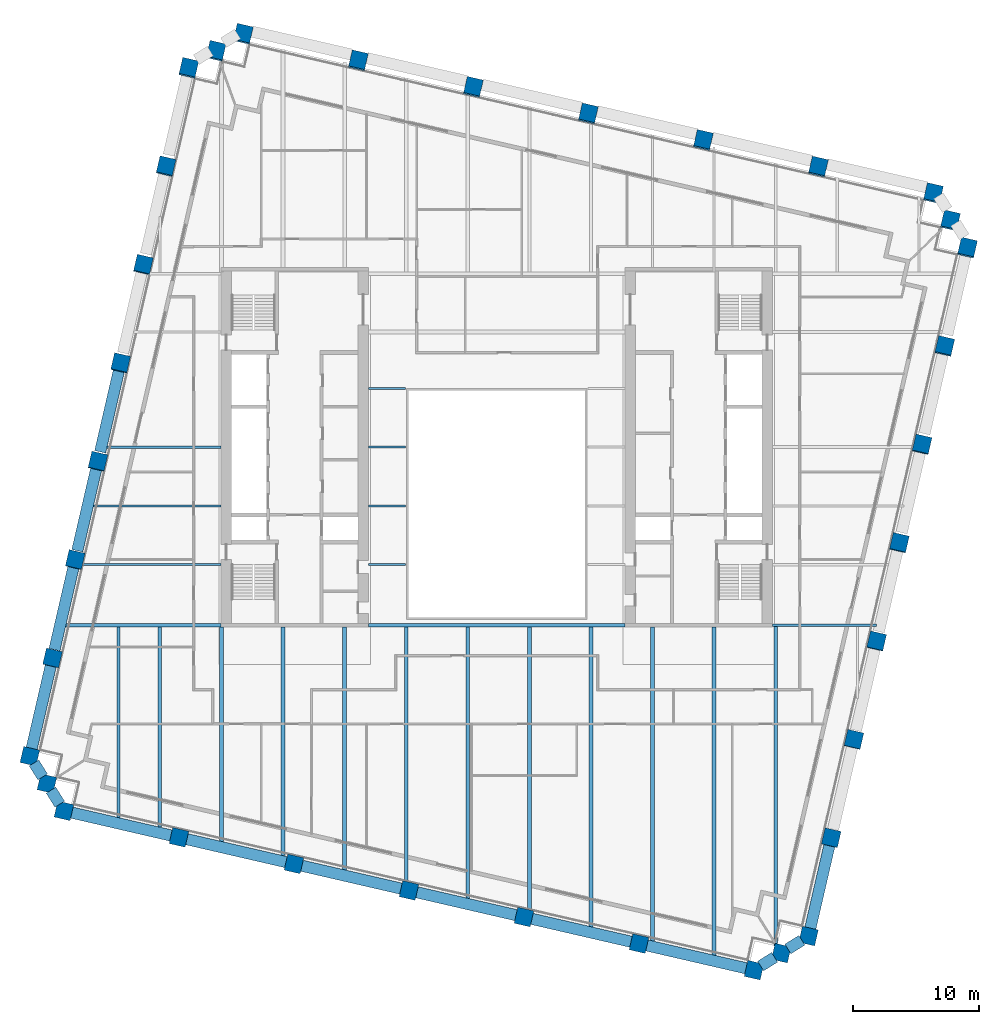
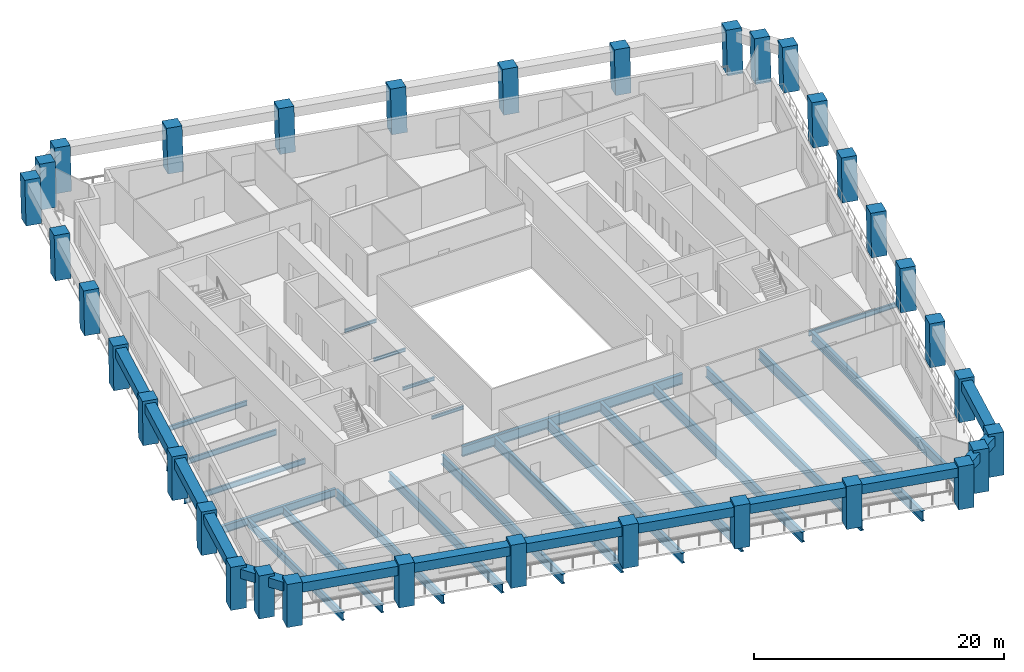
# One storey, part 1 of 10: 37 beams, 34 columns.
"""IFC4 building model written with IfcOpenShell, lengths in metres."""

from ifc_helpers import new_model, si_unit, direction, frame, origin, origin_2d, place, context, subcontext, project, spatial, rectangle, i_section, extrude, material, material_profile, profile_set, type_object, element, save


model = new_model("IFC4")

# Units and contexts
model_context = context("Model", 3, precision=1e-05, world=origin(), true_north=direction((0.0, 1.0)))
body_context = subcontext(model_context, "Body", "Model", "MODEL_VIEW")
ifc_project = project(units=[si_unit("LENGTHUNIT", "METRE"), si_unit("AREAUNIT", "SQUARE_METRE"), si_unit("VOLUMEUNIT", "CUBIC_METRE"), si_unit("PLANEANGLEUNIT", "RADIAN"), si_unit("MASSUNIT", "GRAM", prefix="KILO")], contexts=[model_context])

# Site, building, storey
site_placement = place(None, origin())
site = spatial("IfcSite", under=ifc_project, at=site_placement, CompositionType="ELEMENT")
building_placement = place(site_placement, origin())
building = spatial("IfcBuilding", under=site, at=building_placement, Name="Ogive Exchange Tower", CompositionType="ELEMENT")
storey_placement = place(building_placement, frame((0.0, 0.0, 114.0)))
storey = spatial("IfcBuildingStorey", under=building, at=storey_placement, Name="L24", CompositionType="ELEMENT", Elevation=114.0)

# Columns
ifc_material_1 = material(Name="Precast concrete C70/85 (limestone faced)", Category="masonry")
ifc_material_profile_1 = material_profile(ifc_material_1, rectangle(XDim=1.300048828125, YDim=1.300048828125, at=origin_2d()), Name="1300 x 1300")
ifc_profile_set_1 = profile_set([ifc_material_profile_1], Name="Precast concrete C70/85 (limestone faced)")
column_type = type_object("IfcColumnType", Name="Precast exoskeleton leg 1300 x 1300 C70/85", PredefinedType="COLUMN", material=ifc_profile_set_1)
for number, where, z_axis, x_axis, name in (
    (1, (-34.281982421875, -17.298095703125, 0.0), (0.0, 0.0, 1.0), (0.974370064785, -0.224951054344, 0.0), "Exoskeleton leg 1"),
    (2, (-25.171630859375, -19.401611328125, 0.0), (0.0, 0.0, 1.0), (0.974370064785, -0.224951054344, 0.0), "Exoskeleton leg 2"),
    (3, (-16.061279296875, -21.504638671875, 0.0), (0.0, 0.0, 1.0), (0.974370064785, -0.224951054344, 0.0), "Exoskeleton leg 3"),
    (4, (-6.950927734375, -23.60791015625, 0.0), (0.0, 0.0, 1.0), (0.974370064785, -0.224951054344, 0.0), "Exoskeleton leg 4"),
    (5, (2.159423828125, -25.711181640625, 0.0), (0.0, 0.0, 1.0), (0.974370064785, -0.224951054344, 0.0), "Exoskeleton leg 5"),
    (6, (11.269775390625, -27.814697265625, 0.0), (0.0, 0.0, 1.0), (0.974370064785, -0.224951054344, 0.0), "Exoskeleton leg 6"),
    (7, (20.380126953125, -29.91796875, 0.0), (0.0, 0.0, 1.0), (0.974370064785, -0.224951054344, 0.0), "Exoskeleton leg 7"),
    (8, (24.697509765625, -27.219970703125, 0.0), (0.0, 0.0, 1.0), (0.974370064785, -0.224951054344, 0.0), "Exoskeleton leg 8"),
):
    element("IfcColumn", number, at=place(storey_placement, frame(where, z_axis=z_axis, x_axis=x_axis)), inside=storey, type_object=column_type, Name=name, PredefinedType="COLUMN", context=body_context, shape_type="SweptSolid", body=[
        extrude(rectangle(XDim=1.300048828125, YDim=1.300048828125, at=origin_2d()), origin(), (0.0, 0.0, 1.0), 4.199951171875),
    ])
column_1_placement = place(storey_placement, frame((26.494384765625, -19.437744140625, 0.0), z_axis=(0.002906224189, 0.012671137464, 0.999915494498), x_axis=(-0.974691740237, 0.22355315143, 0.0)))
element("IfcColumn", 9, at=column_1_placement, inside=storey, type_object=column_type, Name="Exoskeleton leg 9", PredefinedType="COLUMN", context=body_context, shape_type="SweptSolid", body=[
    extrude(rectangle(XDim=1.300048828125, YDim=1.300048828125, at=origin_2d()), origin(), (0.0, 0.0, 1.0), 4.2001953125),
])
column_2_placement = place(storey_placement, frame((28.291015625, -11.655517578125, 0.0), z_axis=(0.005869083212, 0.025335844359, 0.999661767226), x_axis=(-0.974202561131, 0.225675363932, 0.0)))
element("IfcColumn", 10, at=column_2_placement, inside=storey, type_object=column_type, Name="Exoskeleton leg 10", PredefinedType="COLUMN", context=body_context, shape_type="SweptSolid", body=[
    extrude(rectangle(XDim=1.300048828125, YDim=1.300048828125, at=origin_2d()), origin(), (0.0, 0.0, 1.0), 4.201416015625),
])
column_3_placement = place(storey_placement, frame((30.087646484375, -3.873046875, 0.0), z_axis=(0.008770884695, 0.037929719907, 0.99924191662), x_axis=(-0.974290512438, 0.225295355862, 0.0)))
element("IfcColumn", 11, at=column_3_placement, inside=storey, type_object=column_type, Name="Exoskeleton leg 11", PredefinedType="COLUMN", context=body_context, shape_type="SweptSolid", body=[
    extrude(rectangle(XDim=1.300048828125, YDim=1.300048828125, at=origin_2d()), origin(), (0.0, 0.0, 1.0), 4.203125),
])
column_4_placement = place(storey_placement, frame((31.884521484375, 3.9091796875, 0.0), z_axis=(0.011668267153, 0.050562490995, 0.998652735462), x_axis=(-0.974391195695, 0.224859506699, 0.0)))
element("IfcColumn", 12, at=column_4_placement, inside=storey, type_object=column_type, Name="Exoskeleton leg 12", PredefinedType="COLUMN", context=body_context, shape_type="SweptSolid", body=[
    extrude(rectangle(XDim=1.300048828125, YDim=1.300048828125, at=origin_2d()), origin(), (0.0, 0.0, 1.0), 4.20556640625),
])
column_5_placement = place(storey_placement, frame((33.68115234375, 11.69140625, 0.0), z_axis=(0.014559788571, 0.063169759976, 0.997896584813), x_axis=(-0.97445148511, 0.224598092528, 0.0)))
element("IfcColumn", 13, at=column_5_placement, inside=storey, type_object=column_type, Name="Exoskeleton leg 13", PredefinedType="COLUMN", context=body_context, shape_type="SweptSolid", body=[
    extrude(rectangle(XDim=1.300048828125, YDim=1.300048828125, at=origin_2d()), origin(), (0.0, 0.0, 1.0), 4.208740234375),
])
column_6_placement = place(storey_placement, frame((35.477783203125, 19.473876953125, 0.0), z_axis=(0.017502025619, 0.075687567741, 0.996977969259), x_axis=(-0.974290512438, 0.225295355862, 0.0)))
element("IfcColumn", 14, at=column_6_placement, inside=storey, type_object=column_type, Name="Exoskeleton leg 14", PredefinedType="COLUMN", context=body_context, shape_type="SweptSolid", body=[
    extrude(rectangle(XDim=1.300048828125, YDim=1.300048828125, at=origin_2d()), origin(), (0.0, 0.0, 1.0), 4.212646484375),
])
for number, where, z_axis, x_axis, name in (
    (15, (37.2744140625, 27.256103515625, 0.0), (0.020377493232, 0.0882252832, 0.995892091129), (-0.97434807649, 0.225046274885, 0.0), "Exoskeleton leg 15"),
    (16, (34.576416015625, 31.57373046875, 0.0), (0.020377493232, 0.0882252832, 0.995892091129), (-0.97434807649, 0.225046274885, 0.0), "Exoskeleton leg 16"),
    (17, (25.46630859375, 33.677001953125, 0.0), (0.020319626563, 0.088225387128, 0.995893264282), (-0.974488096918, 0.224439187676, 0.0), "Exoskeleton leg 17"),
    (18, (16.355712890625, 35.7802734375, 0.0), (0.020377493232, 0.0882252832, 0.995892091129), (-0.97434807649, 0.225046274885, 0.0), "Exoskeleton leg 18"),
    (19, (7.24560546875, 37.883544921875, 0.0), (0.020319626563, 0.088225387128, 0.995893264282), (-0.974488096918, 0.224439187676, 0.0), "Exoskeleton leg 19"),
    (20, (-1.864990234375, 39.98681640625, 0.0), (0.020377493232, 0.0882252832, 0.995892091129), (-0.97434807649, 0.225046274885, 0.0), "Exoskeleton leg 20"),
    (21, (-10.975341796875, 42.090087890625, 0.0), (0.020377493232, 0.0882252832, 0.995892091129), (-0.97434807649, 0.225046274885, 0.0), "Exoskeleton leg 21"),
    (22, (-20.085693359375, 44.193603515625, 0.0), (0.020377597275, 0.088167842757, 0.995897175934), (-0.97431566651, 0.225186549318, 0.0), "Exoskeleton leg 22"),
    (23, (-24.4033203125, 41.49560546875, 0.0), (0.020377493232, 0.0882252832, 0.995892091129), (-0.97434807649, 0.225046274885, 0.0), "Exoskeleton leg 23"),
):
    element("IfcColumn", number, at=place(storey_placement, frame(where, z_axis=z_axis, x_axis=x_axis)), inside=storey, type_object=column_type, Name=name, PredefinedType="COLUMN", context=body_context, shape_type="SweptSolid", body=[
        extrude(rectangle(XDim=1.300048828125, YDim=1.300048828125, at=origin_2d()), origin(), (0.0, 0.0, 1.0), 4.21728515625),
    ])
column_7_placement = place(storey_placement, frame((-26.199951171875, 33.713134765625, 0.0), z_axis=(0.017502025619, 0.075687567741, 0.996977969259), x_axis=(-0.974290512438, 0.225295355862, 0.0)))
element("IfcColumn", 24, at=column_7_placement, inside=storey, type_object=column_type, Name="Exoskeleton leg 24", PredefinedType="COLUMN", context=body_context, shape_type="SweptSolid", body=[
    extrude(rectangle(XDim=1.300048828125, YDim=1.300048828125, at=origin_2d()), origin(), (0.0, 0.0, 1.0), 4.212646484375),
])
column_8_placement = place(storey_placement, frame((-27.99658203125, 25.930908203125, 0.0), z_axis=(0.014559788571, 0.063169759976, 0.997896584813), x_axis=(-0.97445148511, 0.224598092528, 0.0)))
element("IfcColumn", 25, at=column_8_placement, inside=storey, type_object=column_type, Name="Exoskeleton leg 25", PredefinedType="COLUMN", context=body_context, shape_type="SweptSolid", body=[
    extrude(rectangle(XDim=1.300048828125, YDim=1.300048828125, at=origin_2d()), origin(), (0.0, 0.0, 1.0), 4.208740234375),
])
column_9_placement = place(storey_placement, frame((-29.793212890625, 18.148681640625, 0.0), z_axis=(0.011668301382, 0.050504588071, 0.998655665045), x_axis=(-0.974334539389, 0.225104876342, 0.0)))
element("IfcColumn", 26, at=column_9_placement, inside=storey, type_object=column_type, Name="Exoskeleton leg 26", PredefinedType="COLUMN", context=body_context, shape_type="SweptSolid", body=[
    extrude(rectangle(XDim=1.300048828125, YDim=1.300048828125, at=origin_2d()), origin(), (0.0, 0.0, 1.0), 4.20556640625),
])
column_10_placement = place(storey_placement, frame((-31.58984375, 10.3662109375, 0.0), z_axis=(0.008770865357, 0.037987721479, 0.999239713451), x_axis=(-0.97436607968, 0.224968315033, 0.0)))
element("IfcColumn", 27, at=column_10_placement, inside=storey, type_object=column_type, Name="Exoskeleton leg 27", PredefinedType="COLUMN", context=body_context, shape_type="SweptSolid", body=[
    extrude(rectangle(XDim=1.300048828125, YDim=1.300048828125, at=origin_2d()), origin(), (0.0, 0.0, 1.0), 4.203125),
])
column_11_placement = place(storey_placement, frame((-33.38671875, 2.583984375, 0.0), z_axis=(0.005869091843, 0.025277771797, 0.999663237302), x_axis=(-0.974088391429, 0.226167649504, 0.0)))
element("IfcColumn", 28, at=column_11_placement, inside=storey, type_object=column_type, Name="Exoskeleton leg 28", PredefinedType="COLUMN", context=body_context, shape_type="SweptSolid", body=[
    extrude(rectangle(XDim=1.300048828125, YDim=1.300048828125, at=origin_2d()), origin(), (0.0, 0.0, 1.0), 4.201416015625),
])
column_12_placement = place(storey_placement, frame((-35.183349609375, -5.1982421875, 0.0), z_axis=(0.002964348167, 0.012671135303, 0.9999153239), x_axis=(-0.973709261374, 0.227794368487, 0.0)))
element("IfcColumn", 29, at=column_12_placement, inside=storey, type_object=column_type, Name="Exoskeleton leg 29", PredefinedType="COLUMN", context=body_context, shape_type="SweptSolid", body=[
    extrude(rectangle(XDim=1.300048828125, YDim=1.300048828125, at=origin_2d()), origin(), (0.0, 0.0, 1.0), 4.2001953125),
])
for number, where, z_axis, x_axis, name in (
    (30, (-36.97998046875, -12.980712890625, 0.0), (0.0, 0.0, 1.0), (0.974370064785, -0.224951054344, 0.0), "Exoskeleton leg 30"),
    (31, (22.538818359375, -28.569091796875, 0.0), (0.0, 0.0, 1.0), (0.974370064785, -0.224951054344, 0.0), "Exoskeleton leg 31"),
):
    element("IfcColumn", number, at=place(storey_placement, frame(where, z_axis=z_axis, x_axis=x_axis)), inside=storey, type_object=column_type, Name=name, PredefinedType="COLUMN", context=body_context, shape_type="SweptSolid", body=[
        extrude(rectangle(XDim=1.300048828125, YDim=1.300048828125, at=origin_2d()), origin(), (0.0, 0.0, 1.0), 4.199951171875),
    ])
for number, where, z_axis, x_axis, name in (
    (32, (35.925537109375, 29.414794921875, 0.0), (0.020377389123, 0.088282722762, 0.995887003065), (-0.97438042596, 0.224906170451, 0.0), "Exoskeleton leg 32"),
    (33, (-22.244384765625, 42.844482421875, 0.0), (0.020377493232, 0.0882252832, 0.995892091129), (-0.97434807649, 0.225046274885, 0.0), "Exoskeleton leg 33"),
):
    element("IfcColumn", number, at=place(storey_placement, frame(where, z_axis=z_axis, x_axis=x_axis)), inside=storey, type_object=column_type, Name=name, PredefinedType="COLUMN", context=body_context, shape_type="SweptSolid", body=[
        extrude(rectangle(XDim=1.300048828125, YDim=1.300048828125, at=origin_2d()), origin(), (0.0, 0.0, 1.0), 4.21728515625),
    ])
column_13_placement = place(storey_placement, frame((-35.631103515625, -15.139404296875, 0.0), z_axis=(0.0, 0.0, 1.0), x_axis=(0.974370064785, -0.224951054344, 0.0)))
element("IfcColumn", 34, at=column_13_placement, inside=storey, type_object=column_type, Name="Exoskeleton leg 34", PredefinedType="COLUMN", context=body_context, shape_type="SweptSolid", body=[
    extrude(rectangle(XDim=1.300048828125, YDim=1.300048828125, at=origin_2d()), origin(), (0.0, 0.0, 1.0), 4.199951171875),
])

# Beams
ifc_material_2 = material(Name="Steel ASTM A992 Gr50", Category="steel")
ifc_material_profile_2 = material_profile(ifc_material_2, i_section(OverallWidth=0.300048828125, OverallDepth=0.969970703125, WebThickness=0.01611328125, FlangeThickness=0.02099609375, at=origin_2d()), Name="W1000x222")
ifc_profile_set_2 = profile_set([ifc_material_profile_2], Name="Steel ASTM A992 Gr50")
beam_type_1 = type_object("IfcBeamType", Name="Floor beam W1000x222", PredefinedType="JOIST", material=ifc_profile_set_2)
beam_1_placement = place(storey_placement, frame((-7.17041015625, -23.095703125, -0.68505859375), z_axis=(0.0, 1.0, 0.0), x_axis=(-1.0, 0.0, 0.0)))
element("IfcBeam", 35, at=beam_1_placement, inside=storey, type_object=beam_type_1, Name="Floor beam", PredefinedType="JOIST", context=body_context, shape_type="SweptSolid", body=[
    extrude(i_section(OverallWidth=0.300048828125, OverallDepth=0.969970703125, WebThickness=0.01611328125, FlangeThickness=0.02099609375, at=origin_2d()), origin(), (0.0, 0.0, 1.0), 20.3505859375),
])
ifc_material_profile_3 = material_profile(ifc_material_2, i_section(OverallWidth=0.300048828125, OverallDepth=0.97998046875, WebThickness=0.0166015625, FlangeThickness=0.026123046875, at=origin_2d()), Name="W1000x249")
ifc_profile_set_3 = profile_set([ifc_material_profile_3], Name="Steel ASTM A992 Gr50")
beam_type_2 = type_object("IfcBeamType", Name="Floor beam W1000x249", PredefinedType="JOIST", material=ifc_profile_set_3)
beam_2_placement = place(storey_placement, frame((-2.2919921875, -24.371826171875, -0.68994140625), z_axis=(0.0, 1.0, 0.0), x_axis=(-1.0, 0.0, 0.0)))
element("IfcBeam", 36, at=beam_2_placement, inside=storey, type_object=beam_type_2, Name="Floor beam", PredefinedType="JOIST", context=body_context, shape_type="SweptSolid", body=[
    extrude(i_section(OverallWidth=0.300048828125, OverallDepth=0.97998046875, WebThickness=0.0166015625, FlangeThickness=0.026123046875, at=origin_2d()), origin(), (0.0, 0.0, 1.0), 21.626708984375),
])
beam_3_placement = place(storey_placement, frame((2.58642578125, -25.34814453125, -0.68994140625), z_axis=(0.0, 1.0, 0.0), x_axis=(-1.0, 0.0, 0.0)))
element("IfcBeam", 37, at=beam_3_placement, inside=storey, type_object=beam_type_2, Name="Floor beam", PredefinedType="JOIST", context=body_context, shape_type="SweptSolid", body=[
    extrude(i_section(OverallWidth=0.300048828125, OverallDepth=0.97998046875, WebThickness=0.0166015625, FlangeThickness=0.026123046875, at=origin_2d()), origin(), (0.0, 0.0, 1.0), 22.60302734375),
])
beam_4_placement = place(storey_placement, frame((7.464599609375, -26.624267578125, -0.68994140625), z_axis=(0.0, 1.0, 0.0), x_axis=(-1.0, 0.0, 0.0)))
element("IfcBeam", 38, at=beam_4_placement, inside=storey, type_object=beam_type_2, Name="Floor beam", PredefinedType="JOIST", context=body_context, shape_type="SweptSolid", body=[
    extrude(i_section(OverallWidth=0.300048828125, OverallDepth=0.97998046875, WebThickness=0.0166015625, FlangeThickness=0.026123046875, at=origin_2d()), origin(), (0.0, 0.0, 1.0), 23.879150390625),
])
beam_5_placement = place(storey_placement, frame((12.343017578125, -27.6005859375, -0.68994140625), z_axis=(0.0, 1.0, 0.0), x_axis=(-1.0, 0.0, 0.0)))
element("IfcBeam", 39, at=beam_5_placement, inside=storey, type_object=beam_type_2, Name="Floor beam", PredefinedType="JOIST", context=body_context, shape_type="SweptSolid", body=[
    extrude(i_section(OverallWidth=0.300048828125, OverallDepth=0.97998046875, WebThickness=0.0166015625, FlangeThickness=0.026123046875, at=origin_2d()), origin(), (0.0, 0.0, 1.0), 24.8505859375),
])
beam_6_placement = place(storey_placement, frame((17.221435546875, -28.876708984375, -0.68994140625), z_axis=(0.0, 1.0, 0.0), x_axis=(-1.0, 0.0, 0.0)))
element("IfcBeam", 40, at=beam_6_placement, inside=storey, type_object=beam_type_2, Name="Floor beam", PredefinedType="JOIST", context=body_context, shape_type="SweptSolid", body=[
    extrude(i_section(OverallWidth=0.300048828125, OverallDepth=0.97998046875, WebThickness=0.0166015625, FlangeThickness=0.026123046875, at=origin_2d()), origin(), (0.0, 0.0, 1.0), 26.126708984375),
])
beam_7_placement = place(storey_placement, frame((22.099853515625, -28.005615234375, -0.68994140625), z_axis=(0.0, 1.0, 0.0), x_axis=(-1.0, 0.0, 0.0)))
element("IfcBeam", 41, at=beam_7_placement, inside=storey, type_object=beam_type_2, Name="Floor beam", PredefinedType="JOIST", context=body_context, shape_type="SweptSolid", body=[
    extrude(i_section(OverallWidth=0.300048828125, OverallDepth=0.97998046875, WebThickness=0.0166015625, FlangeThickness=0.026123046875, at=origin_2d()), origin(), (0.0, 0.0, 1.0), 25.314697265625),
])
ifc_material_profile_4 = material_profile(ifc_material_2, i_section(OverallWidth=0.1650390625, OverallDepth=0.31005859375, WebThickness=0.005859375, FlangeThickness=0.009765625, at=origin_2d()), Name="W310x38.7")
ifc_profile_set_4 = profile_set([ifc_material_profile_4], Name="Steel ASTM A992 Gr50")
beam_type_3 = type_object("IfcBeamType", Name="Floor beam W310x38.7", PredefinedType="JOIST", material=ifc_profile_set_4)
for number, where, z_axis, x_axis, name in (
    (42, (-10.169921875, 2.208740234375, -0.35498046875), (1.0, 0.0, 0.0), (0.0, 1.0, 0.0), "Floor beam"),
    (43, (-10.169921875, 6.857421875, -0.35498046875), (1.0, 0.0, 0.0), (0.0, 1.0, 0.0), "Floor beam"),
    (44, (-10.169921875, 11.50634765625, -0.35498046875), (1.0, 0.0, 0.0), (0.0, 1.0, 0.0), "Floor beam"),
):
    element("IfcBeam", number, at=place(storey_placement, frame(where, z_axis=z_axis, x_axis=x_axis)), inside=storey, type_object=beam_type_3, Name=name, PredefinedType="JOIST", context=body_context, shape_type="SweptSolid", body=[
        extrude(i_section(OverallWidth=0.1650390625, OverallDepth=0.31005859375, WebThickness=0.005859375, FlangeThickness=0.009765625, at=origin_2d()), origin(), (0.0, 0.0, 1.0), 2.949951171875),
    ])
ifc_material_profile_5 = material_profile(ifc_material_2, i_section(OverallWidth=0.19091796875, OverallDepth=0.45703125, WebThickness=0.009033203125, FlangeThickness=0.014404296875, at=origin_2d()), Name="W460x74")
ifc_profile_set_5 = profile_set([ifc_material_profile_5], Name="Steel ASTM A992 Gr50")
beam_type_4 = type_object("IfcBeamType", Name="Floor beam W460x74", PredefinedType="JOIST", material=ifc_profile_set_5)
beam_8_placement = place(storey_placement, frame((-30.864990234375, 11.50634765625, -0.428466796875), z_axis=(1.0, 0.0, 0.0), x_axis=(0.0, 1.0, 0.0)))
element("IfcBeam", 45, at=beam_8_placement, inside=storey, type_object=beam_type_4, Name="Floor beam", PredefinedType="JOIST", context=body_context, shape_type="SweptSolid", body=[
    extrude(i_section(OverallWidth=0.19091796875, OverallDepth=0.45703125, WebThickness=0.009033203125, FlangeThickness=0.014404296875, at=origin_2d()), origin(), (0.0, 0.0, 1.0), 9.034912109375),
])
ifc_material_profile_6 = material_profile(ifc_material_2, i_section(OverallWidth=0.1669921875, OverallDepth=0.535888671875, WebThickness=0.01025390625, FlangeThickness=0.0166015625, at=origin_2d()), Name="W530x85")
ifc_profile_set_6 = profile_set([ifc_material_profile_6], Name="Steel ASTM A992 Gr50")
beam_type_5 = type_object("IfcBeamType", Name="Floor beam W530x85", PredefinedType="JOIST", material=ifc_profile_set_6)
beam_9_placement = place(storey_placement, frame((-33.011474609375, 2.208740234375, -0.468017578125), z_axis=(1.0, 0.0, 0.0), x_axis=(0.0, 1.0, 0.0)))
element("IfcBeam", 46, at=beam_9_placement, inside=storey, type_object=beam_type_5, Name="Floor beam", PredefinedType="JOIST", context=body_context, shape_type="SweptSolid", body=[
    extrude(i_section(OverallWidth=0.1669921875, OverallDepth=0.535888671875, WebThickness=0.01025390625, FlangeThickness=0.0166015625, at=origin_2d()), origin(), (0.0, 0.0, 1.0), 11.181396484375),
])
beam_10_placement = place(storey_placement, frame((-31.938232421875, 6.857421875, -0.468017578125), z_axis=(1.0, 0.0, 0.0), x_axis=(0.0, 1.0, 0.0)))
element("IfcBeam", 47, at=beam_10_placement, inside=storey, type_object=beam_type_5, Name="Floor beam", PredefinedType="JOIST", context=body_context, shape_type="SweptSolid", body=[
    extrude(i_section(OverallWidth=0.1669921875, OverallDepth=0.535888671875, WebThickness=0.01025390625, FlangeThickness=0.0166015625, at=origin_2d()), origin(), (0.0, 0.0, 1.0), 10.108154296875),
])
ifc_material_profile_7 = material_profile(ifc_material_2, i_section(OverallWidth=0.26708984375, OverallDepth=0.75390625, WebThickness=0.01318359375, FlangeThickness=0.01708984375, at=origin_2d()), Name="W760x147")
ifc_profile_set_7 = profile_set([ifc_material_profile_7], Name="Steel ASTM A992 Gr50")
beam_type_6 = type_object("IfcBeamType", Name="Floor beam W760x147", PredefinedType="JOIST", material=ifc_profile_set_7)
beam_11_placement = place(storey_placement, frame((-29.9619140625, -17.983642578125, -0.576904296875), z_axis=(0.0, 1.0, 0.0), x_axis=(-1.0, 0.0, 0.0)))
element("IfcBeam", 48, at=beam_11_placement, inside=storey, type_object=beam_type_6, Name="Floor beam", PredefinedType="JOIST", context=body_context, shape_type="SweptSolid", body=[
    extrude(i_section(OverallWidth=0.26708984375, OverallDepth=0.75390625, WebThickness=0.01318359375, FlangeThickness=0.01708984375, at=origin_2d()), origin(), (0.0, 0.0, 1.0), 15.255126953125),
])
ifc_material_profile_8 = material_profile(ifc_material_2, i_section(OverallWidth=0.26708984375, OverallDepth=0.761962890625, WebThickness=0.014404296875, FlangeThickness=0.021484375, at=origin_2d()), Name="W760x173")
ifc_profile_set_8 = profile_set([ifc_material_profile_8], Name="Steel ASTM A992 Gr50")
beam_type_7 = type_object("IfcBeamType", Name="Floor beam W760x173", PredefinedType="JOIST", material=ifc_profile_set_8)
beam_12_placement = place(storey_placement, frame((-26.68359375, -18.590576171875, -0.5810546875), z_axis=(0.0, 1.0, 0.0), x_axis=(-1.0, 0.0, 0.0)))
element("IfcBeam", 49, at=beam_12_placement, inside=storey, type_object=beam_type_7, Name="Floor beam", PredefinedType="JOIST", context=body_context, shape_type="SweptSolid", body=[
    extrude(i_section(OverallWidth=0.26708984375, OverallDepth=0.761962890625, WebThickness=0.014404296875, FlangeThickness=0.021484375, at=origin_2d()), origin(), (0.0, 0.0, 1.0), 15.862060546875),
])
ifc_material_profile_9 = material_profile(ifc_material_2, i_section(OverallWidth=0.2919921875, OverallDepth=0.8359375, WebThickness=0.013916015625, FlangeThickness=0.018798828125, at=origin_2d()), Name="W840x176")
ifc_profile_set_9 = profile_set([ifc_material_profile_9], Name="Steel ASTM A992 Gr50")
beam_type_8 = type_object("IfcBeamType", Name="Floor beam W840x176", PredefinedType="JOIST", material=ifc_profile_set_9)
beam_13_placement = place(storey_placement, frame((-21.805419921875, -19.86669921875, -0.617919921875), z_axis=(0.0, 1.0, 0.0), x_axis=(-1.0, 0.0, 0.0)))
element("IfcBeam", 50, at=beam_13_placement, inside=storey, type_object=beam_type_8, Name="Floor beam", PredefinedType="JOIST", context=body_context, shape_type="SweptSolid", body=[
    extrude(i_section(OverallWidth=0.2919921875, OverallDepth=0.8359375, WebThickness=0.013916015625, FlangeThickness=0.018798828125, at=origin_2d()), origin(), (0.0, 0.0, 1.0), 17.11669921875),
])
ifc_material_profile_10 = material_profile(ifc_material_2, i_section(OverallWidth=0.304931640625, OverallDepth=0.904052734375, WebThickness=0.01513671875, FlangeThickness=0.02001953125, at=origin_2d()), Name="W920x201")
ifc_profile_set_10 = profile_set([ifc_material_profile_10], Name="Steel ASTM A992 Gr50")
beam_type_9 = type_object("IfcBeamType", Name="Floor beam W920x201", PredefinedType="JOIST", material=ifc_profile_set_10)
beam_14_placement = place(storey_placement, frame((-16.927001953125, -20.843017578125, -0.652099609375), z_axis=(0.0, 1.0, 0.0), x_axis=(-1.0, 0.0, 0.0)))
element("IfcBeam", 51, at=beam_14_placement, inside=storey, type_object=beam_type_9, Name="Floor beam", PredefinedType="JOIST", context=body_context, shape_type="SweptSolid", body=[
    extrude(i_section(OverallWidth=0.304931640625, OverallDepth=0.904052734375, WebThickness=0.01513671875, FlangeThickness=0.02001953125, at=origin_2d()), origin(), (0.0, 0.0, 1.0), 18.093017578125),
])
ifc_material_profile_11 = material_profile(ifc_material_2, i_section(OverallWidth=0.306884765625, OverallDepth=0.927001953125, WebThickness=0.019287109375, FlangeThickness=0.031982421875, at=origin_2d()), Name="W920x289")
ifc_profile_set_11 = profile_set([ifc_material_profile_11], Name="Steel ASTM A992 Gr50")
beam_type_10 = type_object("IfcBeamType", Name="Floor beam W920x289", PredefinedType="JOIST", material=ifc_profile_set_11)
beam_15_placement = place(storey_placement, frame((-12.048583984375, -22.119384765625, -0.66357421875), z_axis=(0.0, 1.0, 0.0), x_axis=(-1.0, 0.0, 0.0)))
element("IfcBeam", 52, at=beam_15_placement, inside=storey, type_object=beam_type_10, Name="Floor beam", PredefinedType="JOIST", context=body_context, shape_type="SweptSolid", body=[
    extrude(i_section(OverallWidth=0.306884765625, OverallDepth=0.927001953125, WebThickness=0.019287109375, FlangeThickness=0.031982421875, at=origin_2d()), origin(), (0.0, 0.0, 1.0), 19.369384765625),
])
ifc_material_profile_12 = material_profile(ifc_material_2, i_section(OverallWidth=0.300048828125, OverallDepth=0.97998046875, WebThickness=0.0166015625, FlangeThickness=0.026123046875, at=origin_2d()), Name="W1000x249")
ifc_profile_set_12 = profile_set([ifc_material_profile_12], Name="Steel ASTM A992 Gr50")
beam_type_11 = type_object("IfcBeamType", Name="Girder W1000x249", PredefinedType="BEAM", material=ifc_profile_set_12)
beam_16_placement = place(storey_placement, frame((-10.169921875, -2.594970703125, -0.68994140625), z_axis=(1.0, 0.0, 0.0), x_axis=(0.0, 1.0, 0.0)))
element("IfcBeam", 53, at=beam_16_placement, inside=storey, type_object=beam_type_11, Name="Header girder", PredefinedType="BEAM", context=body_context, shape_type="SweptSolid", body=[
    extrude(i_section(OverallWidth=0.300048828125, OverallDepth=0.97998046875, WebThickness=0.0166015625, FlangeThickness=0.026123046875, at=origin_2d()), origin(), (0.0, 0.0, 1.0), 20.33984375),
])
ifc_material_profile_13 = material_profile(ifc_material_2, i_section(OverallWidth=0.1650390625, OverallDepth=0.31005859375, WebThickness=0.005859375, FlangeThickness=0.009765625, at=origin_2d()), Name="W310x38.7")
ifc_profile_set_13 = profile_set([ifc_material_profile_13], Name="Steel ASTM A992 Gr50")
beam_type_12 = type_object("IfcBeamType", Name="Girder W310x38.7", PredefinedType="BEAM", material=ifc_profile_set_13)
beam_17_placement = place(storey_placement, frame((-10.169921875, 16.155029296875, -0.35498046875), z_axis=(1.0, 0.0, 0.0), x_axis=(0.0, 1.0, 0.0)))
element("IfcBeam", 54, at=beam_17_placement, inside=storey, type_object=beam_type_12, Name="Trimmer girder", PredefinedType="BEAM", context=body_context, shape_type="SweptSolid", body=[
    extrude(i_section(OverallWidth=0.1650390625, OverallDepth=0.31005859375, WebThickness=0.005859375, FlangeThickness=0.009765625, at=origin_2d()), origin(), (0.0, 0.0, 1.0), 2.949951171875),
])
ifc_material_profile_14 = material_profile(ifc_material_2, i_section(OverallWidth=0.19189453125, OverallDepth=0.4619140625, WebThickness=0.010498046875, FlangeThickness=0.017578125, at=origin_2d()), Name="W460x89")
ifc_profile_set_14 = profile_set([ifc_material_profile_14], Name="Steel ASTM A992 Gr50")
beam_type_13 = type_object("IfcBeamType", Name="Girder W460x89", PredefinedType="BEAM", material=ifc_profile_set_14)
beam_18_placement = place(storey_placement, frame((21.830078125, -2.594970703125, -0.430908203125), z_axis=(1.0, 0.0, 0.0), x_axis=(0.0, 1.0, 0.0)))
element("IfcBeam", 55, at=beam_18_placement, inside=storey, type_object=beam_type_13, Name="Header girder", PredefinedType="BEAM", context=body_context, shape_type="SweptSolid", body=[
    extrude(i_section(OverallWidth=0.19189453125, OverallDepth=0.4619140625, WebThickness=0.010498046875, FlangeThickness=0.017578125, at=origin_2d()), origin(), (0.0, 0.0, 1.0), 8.24072265625),
])
ifc_material_profile_15 = material_profile(ifc_material_2, i_section(OverallWidth=0.26708984375, OverallDepth=0.75390625, WebThickness=0.01318359375, FlangeThickness=0.01708984375, at=origin_2d()), Name="W760x147")
ifc_profile_set_15 = profile_set([ifc_material_profile_15], Name="Steel ASTM A992 Gr50")
beam_type_14 = type_object("IfcBeamType", Name="Girder W760x147", PredefinedType="BEAM", material=ifc_profile_set_15)
beam_19_placement = place(storey_placement, frame((-34.2705078125, -2.594970703125, -0.576904296875), z_axis=(1.0, 0.0, 0.0), x_axis=(0.0, 1.0, 0.0)))
element("IfcBeam", 56, at=beam_19_placement, inside=storey, type_object=beam_type_14, Name="Header girder", PredefinedType="BEAM", context=body_context, shape_type="SweptSolid", body=[
    extrude(i_section(OverallWidth=0.26708984375, OverallDepth=0.75390625, WebThickness=0.01318359375, FlangeThickness=0.01708984375, at=origin_2d()), origin(), (0.0, 0.0, 1.0), 12.4404296875),
])
ifc_material_profile_16 = material_profile(ifc_material_1, rectangle(XDim=0.89990234375, YDim=0.89990234375, at=origin_2d()), Name="900 x 900")
ifc_profile_set_16 = profile_set([ifc_material_profile_16], Name="Precast concrete C70/85 (limestone faced)")
beam_type_15 = type_object("IfcBeamType", Name="Precast spandrel 900 x 900 C70/85", PredefinedType="SPANDREL", material=ifc_profile_set_16)
for number, where, z_axis, x_axis, name in (
    (57, (-33.668212890625, -17.43994140625, 3.5), (0.974370337884, -0.224949871421, 0.0), (0.224949871421, 0.974370337884, 0.0), "Spandrel 1"),
    (58, (-24.557861328125, -19.543212890625, 3.5), (0.974370337884, -0.224949871421, 0.0), (0.224949871421, 0.974370337884, 0.0), "Spandrel 2"),
):
    element("IfcBeam", number, at=place(storey_placement, frame(where, z_axis=z_axis, x_axis=x_axis)), inside=storey, type_object=beam_type_15, Name=name, PredefinedType="SPANDREL", context=body_context, shape_type="SweptSolid", body=[
        extrude(rectangle(XDim=0.89990234375, YDim=0.89990234375, at=origin_2d()), origin(), (0.0, 0.0, 1.0), 8.08984375),
    ])
beam_20_placement = place(storey_placement, frame((-15.447509765625, -21.646484375, 3.5), z_axis=(0.974371864918, -0.224943256972, 0.0), x_axis=(0.224943256972, 0.974371864918, 0.0)))
element("IfcBeam", 59, at=beam_20_placement, inside=storey, type_object=beam_type_15, Name="Spandrel 3", PredefinedType="SPANDREL", context=body_context, shape_type="SweptSolid", body=[
    extrude(rectangle(XDim=0.89990234375, YDim=0.89990234375, at=origin_2d()), origin(), (0.0, 0.0, 1.0), 8.090087890625),
])
beam_21_placement = place(storey_placement, frame((-6.337158203125, -23.749755859375, 3.5), z_axis=(0.974370337884, -0.224949871421, 0.0), x_axis=(0.224949871421, 0.974370337884, 0.0)))
element("IfcBeam", 60, at=beam_21_placement, inside=storey, type_object=beam_type_15, Name="Spandrel 4", PredefinedType="SPANDREL", context=body_context, shape_type="SweptSolid", body=[
    extrude(rectangle(XDim=0.89990234375, YDim=0.89990234375, at=origin_2d()), origin(), (0.0, 0.0, 1.0), 8.08984375),
])
beam_22_placement = place(storey_placement, frame((2.773193359375, -25.85302734375, 3.5), z_axis=(0.974371864918, -0.224943256972, 0.0), x_axis=(0.224943256972, 0.974371864918, 0.0)))
element("IfcBeam", 61, at=beam_22_placement, inside=storey, type_object=beam_type_15, Name="Spandrel 5", PredefinedType="SPANDREL", context=body_context, shape_type="SweptSolid", body=[
    extrude(rectangle(XDim=0.89990234375, YDim=0.89990234375, at=origin_2d()), origin(), (0.0, 0.0, 1.0), 8.090087890625),
])
beam_23_placement = place(storey_placement, frame((11.883544921875, -27.956298828125, 3.5), z_axis=(0.974370337884, -0.224949871421, 0.0), x_axis=(0.224949871421, 0.974370337884, 0.0)))
element("IfcBeam", 62, at=beam_23_placement, inside=storey, type_object=beam_type_15, Name="Spandrel 6", PredefinedType="SPANDREL", context=body_context, shape_type="SweptSolid", body=[
    extrude(rectangle(XDim=0.89990234375, YDim=0.89990234375, at=origin_2d()), origin(), (0.0, 0.0, 1.0), 8.08984375),
])
for number, where, z_axis, x_axis, name in (
    (63, (20.9052734375, -29.58984375, 3.5), (0.848040277303, 0.529931776808, 0.0), (-0.529931776808, 0.848040277303, 0.0), "Spandrel 7"),
    (64, (23.06396484375, -28.24072265625, 3.5), (0.848092721491, 0.529847842077, 0.0), (-0.529847842077, 0.848092721491, 0.0), "Spandrel 8"),
):
    element("IfcBeam", number, at=place(storey_placement, frame(where, z_axis=z_axis, x_axis=x_axis)), inside=storey, type_object=beam_type_15, Name=name, PredefinedType="SPANDREL", context=body_context, shape_type="SweptSolid", body=[
        extrude(rectangle(XDim=0.89990234375, YDim=0.89990234375, at=origin_2d()), origin(), (0.0, 0.0, 1.0), 1.30712890625),
    ])
beam_24_placement = place(storey_placement, frame((24.83935546875, -26.606201171875, 3.5), z_axis=(0.224962043888, 0.974367527584, 0.0), x_axis=(-0.974367527584, 0.224962043888, 0.0)))
element("IfcBeam", 65, at=beam_24_placement, inside=storey, type_object=beam_type_15, Name="Spandrel 9", PredefinedType="SPANDREL", context=body_context, shape_type="SweptSolid", body=[
    extrude(rectangle(XDim=0.89990234375, YDim=0.89990234375, at=origin_2d()), origin(), (0.0, 0.0, 1.0), 6.78173828125),
])
for number, where, z_axis, x_axis, name in (
    (66, (-29.885986328125, 17.747314453125, 3.5), (-0.22493575583, -0.974373596599, 0.0), (0.974373596599, -0.22493575583, 0.0), "Spandrel 29"),
    (67, (-31.69482421875, 9.911865234375, 3.5), (-0.22493575583, -0.974373596599, 0.0), (0.974373596599, -0.22493575583, 0.0), "Spandrel 30"),
    (68, (-33.50390625, 2.076416015625, 3.5), (-0.22493575583, -0.974373596599, 0.0), (0.974373596599, -0.22493575583, 0.0), "Spandrel 31"),
    (69, (-35.312744140625, -5.759033203125, 3.5), (-0.224969935134, -0.974365705619, 0.0), (0.974365705619, -0.224969935134, 0.0), "Spandrel 32"),
):
    element("IfcBeam", number, at=place(storey_placement, frame(where, z_axis=z_axis, x_axis=x_axis)), inside=storey, type_object=beam_type_15, Name=name, PredefinedType="SPANDREL", context=body_context, shape_type="SweptSolid", body=[
        extrude(rectangle(XDim=0.89990234375, YDim=0.89990234375, at=origin_2d()), origin(), (0.0, 0.0, 1.0), 6.781494140625),
    ])
for number, where, z_axis, x_axis, name in (
    (70, (-36.65185546875, -13.505615234375, 3.5), (0.529847842077, -0.848092721491, 0.0), (0.848092721491, 0.529847842077, 0.0), "Spandrel 33"),
    (71, (-35.302978515625, -15.66455078125, 3.5), (0.530066093226, -0.847956329543, 0.0), (0.847956329543, 0.530066093226, 0.0), "Spandrel 34"),
):
    element("IfcBeam", number, at=place(storey_placement, frame(where, z_axis=z_axis, x_axis=x_axis)), inside=storey, type_object=beam_type_15, Name=name, PredefinedType="SPANDREL", context=body_context, shape_type="SweptSolid", body=[
        extrude(rectangle(XDim=0.89990234375, YDim=0.89990234375, at=origin_2d()), origin(), (0.0, 0.0, 1.0), 1.30712890625),
    ])

save(model, "model.ifc")
